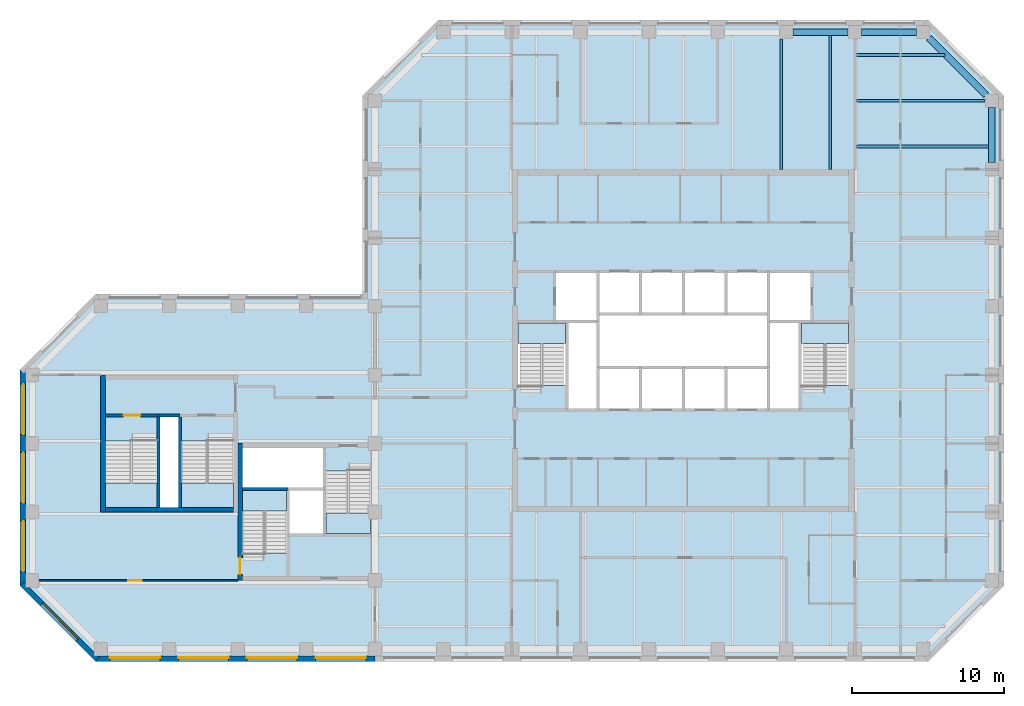
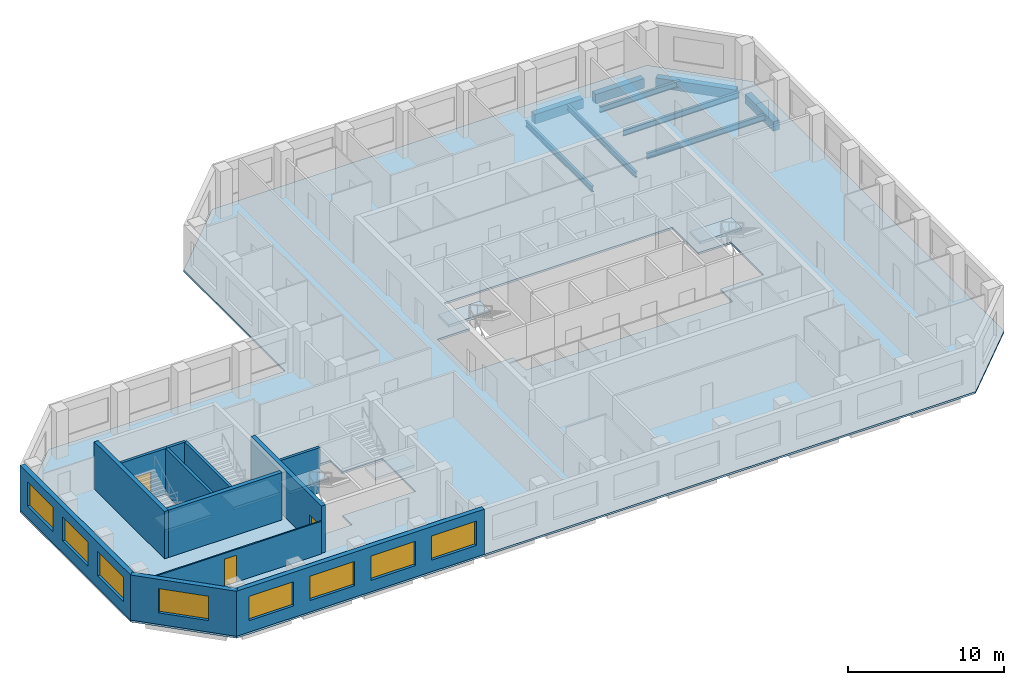
# One storey, part 2 of 10: 12 walls, 9 beams, 8 windows, 7 slabs, 3 doors, 11 openings, 6 elements without a shape of their own.
"""IFC4 building model written with IfcOpenShell, lengths in metres."""

from ifc_helpers import new_model, si_unit, direction, frame, frame_2d, origin, origin_2d, place, context, subcontext, project, spatial, polyline, rectangle, i_section, outline, extrude, material, layer, layer_set, constituent, constituent_set, material_profile, profile_set, type_object, element, fill, aggregate, save


model = new_model("IFC4")

# Units and contexts
model_context = context("Model", 3, precision=1e-05, world=origin(), true_north=direction((0.0, 1.0)))
body_context = subcontext(model_context, "Body", "Model", "MODEL_VIEW")
ifc_project = project(units=[si_unit("LENGTHUNIT", "METRE"), si_unit("AREAUNIT", "SQUARE_METRE"), si_unit("VOLUMEUNIT", "CUBIC_METRE"), si_unit("PLANEANGLEUNIT", "RADIAN"), si_unit("MASSUNIT", "GRAM", prefix="KILO")], contexts=[model_context])

# Site, building, storey
site_placement = place(None, origin())
site = spatial("IfcSite", under=ifc_project, at=site_placement, CompositionType="ELEMENT")
building_placement = place(site_placement, origin())
building = spatial("IfcBuilding", under=site, at=building_placement, Name="Quoin Convention Tower", CompositionType="ELEMENT")
storey_placement = place(building_placement, frame((0.0, 0.0, 256.300048828125)))
storey = spatial("IfcBuildingStorey", under=building, at=storey_placement, Name="L67", CompositionType="ELEMENT", Elevation=256.300048828125)

# Beams
ifc_material_1 = material(Name="Steel Grade 300", Category="steel")
ifc_material_profile_1 = material_profile(ifc_material_1, i_section(OverallWidth=0.18994140625, OverallDepth=0.4541015625, WebThickness=0.008544921875, FlangeThickness=0.0126953125, FilletRadius=0.011474609375, at=origin_2d()), Name="460UB67.1")
ifc_profile_set_1 = profile_set([ifc_material_profile_1], Name="Steel Grade 300")
beam_type_1 = type_object("IfcBeamType", Name="460UB67.1", PredefinedType="BEAM", material=ifc_profile_set_1)
beam_1_placement = place(storey_placement, frame((62.6787109375, 72.0, -0.376953125), z_axis=(0.0, 1.0, 0.0), x_axis=(-1.0, 0.0, 0.0)))
element("IfcBeam", 1, at=beam_1_placement, inside=storey, type_object=beam_type_1, Name="bm-L67-T1N5", PredefinedType="BEAM", context=body_context, shape_type="SweptSolid", body=[
    extrude(i_section(OverallWidth=0.18994140625, OverallDepth=0.4541015625, WebThickness=0.008544921875, FlangeThickness=0.0126953125, FilletRadius=0.011474609375, at=origin_2d()), origin(), (0.0, 0.0, 1.0), 8.550048828125),
])
beam_2_placement = place(storey_placement, frame((65.892822265625, 72.0, -0.376953125), z_axis=(0.0, 1.0, 0.0), x_axis=(-1.0, 0.0, 0.0)))
element("IfcBeam", 2, at=beam_2_placement, inside=storey, type_object=beam_type_1, Name="bm-L67-T1N6", PredefinedType="BEAM", context=body_context, shape_type="SweptSolid", body=[
    extrude(i_section(OverallWidth=0.18994140625, OverallDepth=0.4541015625, WebThickness=0.008544921875, FlangeThickness=0.0126953125, FilletRadius=0.011474609375, at=origin_2d()), origin(), (0.0, 0.0, 1.0), 8.77490234375),
])
beam_3_placement = place(storey_placement, frame((67.5, 79.5, -0.376953125), z_axis=(1.0, 0.0, 0.0), x_axis=(0.0, 1.0, 0.0)))
element("IfcBeam", 3, at=beam_3_placement, inside=storey, type_object=beam_type_1, Name="bm-L67-T1NE0", PredefinedType="BEAM", context=body_context, shape_type="SweptSolid", body=[
    extrude(i_section(OverallWidth=0.18994140625, OverallDepth=0.4541015625, WebThickness=0.008544921875, FlangeThickness=0.0126953125, FilletRadius=0.011474609375, at=origin_2d()), origin(), (0.0, 0.0, 1.0), 5.935791015625),
])
beam_4_placement = place(storey_placement, frame((67.5, 76.5, -0.376953125), z_axis=(1.0, 0.0, 0.0), x_axis=(0.0, 1.0, 0.0)))
element("IfcBeam", 4, at=beam_4_placement, inside=storey, type_object=beam_type_1, Name="bm-L67-T1NE1", PredefinedType="BEAM", context=body_context, shape_type="SweptSolid", body=[
    extrude(i_section(OverallWidth=0.18994140625, OverallDepth=0.4541015625, WebThickness=0.008544921875, FlangeThickness=0.0126953125, FilletRadius=0.011474609375, at=origin_2d()), origin(), (0.0, 0.0, 1.0), 8.550048828125),
])
beam_5_placement = place(storey_placement, frame((67.5, 73.5, -0.376953125), z_axis=(1.0, 0.0, 0.0), x_axis=(0.0, 1.0, 0.0)))
element("IfcBeam", 5, at=beam_5_placement, inside=storey, type_object=beam_type_1, Name="bm-L67-T1NE2", PredefinedType="BEAM", context=body_context, shape_type="SweptSolid", body=[
    extrude(i_section(OverallWidth=0.18994140625, OverallDepth=0.4541015625, WebThickness=0.008544921875, FlangeThickness=0.0126953125, FilletRadius=0.011474609375, at=origin_2d()), origin(), (0.0, 0.0, 1.0), 8.77490234375),
])
ifc_material_2 = material(Name="Concrete C50", Category="concrete")
ifc_material_profile_2 = material_profile(ifc_material_2, rectangle(XDim=0.449951171875, YDim=0.75, at=origin_2d()), Name="RC 450x750")
ifc_profile_set_2 = profile_set([ifc_material_profile_2], Name="Concrete C50")
beam_type_2 = type_object("IfcBeamType", Name="RC 450x750 C50", PredefinedType="SPANDREL", material=ifc_profile_set_2)
beam_6_placement = place(storey_placement, frame((76.5, 72.449951171875, -0.525146484375), z_axis=(0.0, 1.0, 0.0), x_axis=(-1.0, 0.0, 0.0)))
element("IfcBeam", 6, at=beam_6_placement, inside=storey, type_object=beam_type_2, Name="spd-L67-76500_72000-76500_76500", PredefinedType="SPANDREL", context=body_context, shape_type="SweptSolid", body=[
    extrude(rectangle(XDim=0.449951171875, YDim=0.75, at=origin_2d()), origin(), (0.0, 0.0, 1.0), 3.60009765625),
])
beam_7_placement = place(storey_placement, frame((76.135009765625, 76.864990234375, -0.525146484375), z_axis=(-0.707106781187, 0.707106781187, 0.0), x_axis=(-0.707106781187, -0.707106781187, 0.0)))
element("IfcBeam", 7, at=beam_7_placement, inside=storey, type_object=beam_type_2, Name="spd-L67-76500_76500-72000_81000", PredefinedType="SPANDREL", context=body_context, shape_type="SweptSolid", body=[
    extrude(rectangle(XDim=0.449951171875, YDim=0.75, at=origin_2d()), origin(), (0.0, 0.0, 1.0), 5.33154296875),
])
for number, where, z_axis, x_axis, name in (
    (8, (71.550048828125, 81.0, -0.525146484375), (-1.0, 0.0, 0.0), (0.0, -1.0, 0.0), "spd-L67-72000_81000-67500_81000"),
    (9, (67.050048828125, 81.0, -0.525146484375), (-1.0, 0.0, 0.0), (0.0, -1.0, 0.0), "spd-L67-67500_81000-63000_81000"),
):
    element("IfcBeam", number, at=place(storey_placement, frame(where, z_axis=z_axis, x_axis=x_axis)), inside=storey, type_object=beam_type_2, Name=name, PredefinedType="SPANDREL", context=body_context, shape_type="SweptSolid", body=[
        extrude(rectangle(XDim=0.449951171875, YDim=0.75, at=origin_2d()), origin(), (0.0, 0.0, 1.0), 3.60009765625),
    ])

# Slab
ifc_material_3 = material(Name="Concrete C40", Category="concrete")
ifc_layer_1 = layer(ifc_material_3, 0.14990234375)
ifc_layer_set_1 = layer_set([ifc_layer_1], Name="Concrete C40")
slab_type_1 = type_object("IfcSlabType", Name="COMPOSITE SLAB 150 C40", PredefinedType="FLOOR", material=ifc_layer_set_1)
slab_1_placement = place(storey_placement, frame((0.0, 0.0, -0.150146484375)))
element("IfcSlab", 10, at=slab_1_placement, inside=storey, type_object=slab_type_1, Name="slb-L67", PredefinedType="FLOOR", context=body_context, shape_type="SweptSolid", body=[
    extrude(outline(polyline([(17.668701171875, 39.699951171875), (12.699951171875, 44.668701171875), (12.699951171875, 58.831298828125), (17.668701171875, 63.800048828125), (35.199951171875, 63.800048828125), (35.199951171875, 76.831298828125), (40.168701171875, 81.800048828125), (72.331298828125, 81.800048828125), (77.300048828125, 76.831298828125), (77.300048828125, 44.668701171875), (72.331298828125, 39.699951171875), (17.668701171875, 39.699951171875)]), holes=[polyline([(27.300048828125, 51.0), (27.300048828125, 46.800537109375), (30.300048828125, 46.800537109375), (30.300048828125, 48.0), (32.699951171875, 48.0), (35.699951171875, 48.0), (35.699951171875, 52.199462890625), (32.699951171875, 52.199462890625), (32.699951171875, 53.699951171875), (27.300048828125, 53.699951171875), (27.300048828125, 51.0)]), polyline([(18.300048828125, 49.800048828125), (21.800048828125, 49.800048828125), (23.199951171875, 49.800048828125), (26.699951171875, 49.800048828125), (26.699951171875, 54.1494140625), (23.199951171875, 54.1494140625), (23.199951171875, 55.85009765625), (21.800048828125, 55.85009765625), (21.800048828125, 54.1494140625), (18.300048828125, 54.1494140625), (18.300048828125, 49.800048828125)]), polyline([(48.60009765625, 56.199951171875), (50.64990234375, 56.199951171875), (53.449951171875, 56.199951171875), (56.25, 56.199951171875), (59.050048828125, 56.199951171875), (61.85009765625, 56.199951171875), (63.89990234375, 56.199951171875), (63.89990234375, 57.800537109375), (67.10009765625, 57.800537109375), (67.10009765625, 62.0), (64.699951171875, 62.0), (64.699951171875, 65.300048828125), (61.85009765625, 65.300048828125), (59.050048828125, 65.300048828125), (56.25, 65.300048828125), (53.449951171875, 65.300048828125), (50.64990234375, 65.300048828125), (47.800048828125, 65.300048828125), (47.800048828125, 62.0), (45.39990234375, 62.0), (45.39990234375, 57.800537109375), (48.60009765625, 57.800537109375), (48.60009765625, 56.199951171875)])]), origin(), (0.0, 0.0, 1.0), 0.150146484375),
])

# Stair, slab
stair_type_1 = type_object("IfcStairType", Name="Exit stair two-flight 1350", PredefinedType="HALF_TURN_STAIR", material=ifc_material_3)
stair_1_placement = place(storey_placement, origin())
stair_1 = element("IfcStair", 11, at=stair_1_placement, inside=storey, type_object=stair_type_1, Name="SD1 L67", PredefinedType="HALF_TURN_STAIR")
ifc_layer_2 = layer(ifc_material_3, 0.199951171875)
ifc_layer_set_2 = layer_set([ifc_layer_2], Name="Concrete C40")
slab_type_2 = type_object("IfcSlabType", Name="Stair landing 200", PredefinedType="LANDING", material=ifc_layer_set_2)
slab_2_placement = place(storey_placement, frame((0.0, 0.0, 1.792236328125)))
slab_2 = element("IfcSlab", 12, at=slab_2_placement, type_object=slab_type_2, Name="ST1 landing 1", PredefinedType="LANDING", context=body_context, shape_type="SweptSolid", body=[
    extrude(outline(polyline([(45.39990234375, 60.550048828125), (48.5, 60.550048828125), (48.5, 61.89990234375), (45.39990234375, 61.89990234375), (45.39990234375, 60.550048828125)])), origin(), (0.0, 0.0, 1.0), 0.199951171875),
])
aggregate(stair_1, [slab_2])

stair_2_placement = place(storey_placement, origin())
stair_2 = element("IfcStair", 13, at=stair_2_placement, inside=storey, type_object=stair_type_1, Name="SD2 L67", PredefinedType="HALF_TURN_STAIR")
slab_3_placement = place(storey_placement, frame((0.0, 0.0, 1.792236328125)))
slab_3 = element("IfcSlab", 14, at=slab_3_placement, type_object=slab_type_2, Name="ST2 landing 1", PredefinedType="LANDING", context=body_context, shape_type="SweptSolid", body=[
    extrude(outline(polyline([(64.0, 60.550048828125), (67.10009765625, 60.550048828125), (67.10009765625, 61.89990234375), (64.0, 61.89990234375), (64.0, 60.550048828125)])), origin(), (0.0, 0.0, 1.0), 0.199951171875),
])
aggregate(stair_2, [slab_3])

stair_3_placement = place(storey_placement, origin())
stair_3 = element("IfcStair", 15, at=stair_3_placement, inside=storey, type_object=stair_type_1, Name="SD3 L67", PredefinedType="HALF_TURN_STAIR")
slab_4_placement = place(storey_placement, frame((0.0, 0.0, 1.792236328125)))
slab_4 = element("IfcSlab", 16, at=slab_4_placement, type_object=slab_type_2, Name="ST3 landing 1", PredefinedType="LANDING", context=body_context, shape_type="SweptSolid", body=[
    extrude(outline(polyline([(27.300048828125, 49.550048828125), (30.199951171875, 49.550048828125), (30.199951171875, 50.89990234375), (27.300048828125, 50.89990234375), (27.300048828125, 49.550048828125)])), origin(), (0.0, 0.0, 1.0), 0.199951171875),
])
aggregate(stair_3, [slab_4])

stair_4_placement = place(storey_placement, origin())
stair_4 = element("IfcStair", 17, at=stair_4_placement, inside=storey, type_object=stair_type_1, Name="SD4 L67", PredefinedType="HALF_TURN_STAIR")
slab_5_placement = place(storey_placement, frame((0.0, 0.0, 1.792236328125)))
slab_5 = element("IfcSlab", 18, at=slab_5_placement, type_object=slab_type_2, Name="ST4 landing 1", PredefinedType="LANDING", context=body_context, shape_type="SweptSolid", body=[
    extrude(outline(polyline([(35.699951171875, 49.449951171875), (32.800048828125, 49.449951171875), (32.800048828125, 48.10009765625), (35.699951171875, 48.10009765625), (35.699951171875, 49.449951171875)])), origin(), (0.0, 0.0, 1.0), 0.199951171875),
])
aggregate(stair_4, [slab_5])

stair_type_2 = type_object("IfcStairType", Name="Exit stair two-flight 1600", PredefinedType="HALF_TURN_STAIR", material=ifc_material_3)
stair_5_placement = place(storey_placement, origin())
stair_5 = element("IfcStair", 19, at=stair_5_placement, inside=storey, type_object=stair_type_2, Name="SD11 L67", PredefinedType="HALF_TURN_STAIR")
slab_6_placement = place(storey_placement, frame((0.0, 0.0, 1.792236328125)))
slab_6 = element("IfcSlab", 20, at=slab_6_placement, type_object=slab_type_2, Name="ST11 landing 1", PredefinedType="LANDING", context=body_context, shape_type="SweptSolid", body=[
    extrude(outline(polyline([(21.699951171875, 51.39990234375), (18.300048828125, 51.39990234375), (18.300048828125, 49.800048828125), (21.699951171875, 49.800048828125), (21.699951171875, 51.39990234375)])), origin(), (0.0, 0.0, 1.0), 0.199951171875),
])
aggregate(stair_5, [slab_6])

stair_6_placement = place(storey_placement, origin())
stair_6 = element("IfcStair", 21, at=stair_6_placement, inside=storey, type_object=stair_type_2, Name="SD12 L67", PredefinedType="HALF_TURN_STAIR")
slab_7_placement = place(storey_placement, frame((0.0, 0.0, 1.792236328125)))
slab_7 = element("IfcSlab", 22, at=slab_7_placement, type_object=slab_type_2, Name="ST12 landing 1", PredefinedType="LANDING", context=body_context, shape_type="SweptSolid", body=[
    extrude(outline(polyline([(26.699951171875, 51.39990234375), (23.300048828125, 51.39990234375), (23.300048828125, 49.800048828125), (26.699951171875, 49.800048828125), (26.699951171875, 51.39990234375)])), origin(), (0.0, 0.0, 1.0), 0.199951171875),
])
aggregate(stair_6, [slab_7])

# Wall, openings, windows
ifc_material_4 = material(Name="Brick masonry", Category="masonry")
ifc_layer_3 = layer(ifc_material_4, 0.35009765625)
ifc_layer_set_3 = layer_set([ifc_layer_3], Name="Brick masonry")
wall_type_1 = type_object("IfcWallType", Name="Brick facade wall", PredefinedType="STANDARD", material=ifc_layer_set_3)
wall_1_placement = place(storey_placement, frame((12.875, 58.831298828125, 0.0), z_axis=(0.0, 0.0, 1.0), x_axis=(0.0, -1.0, 0.0)))
wall_1 = element("IfcWall", 23, at=wall_1_placement, inside=storey, type_object=wall_type_1, Name="fw-L67-13500_58500", PredefinedType="STANDARD", context=body_context, shape_type="SweptSolid", body=[
    extrude(rectangle(XDim=14.16259765625, YDim=0.35009765625, at=frame_2d((7.081298828125, 0.0))), origin(), (0.0, 0.0, 1.0), 3.52490234375),
])
opening_1_placement = place(wall_1_placement, frame((0.931396484375, 0.0, 0.89990234375)))
opening_1 = element("IfcOpeningElement", 24, at=opening_1_placement, cuts=wall_1, Name="Opening W-02", PredefinedType="OPENING", context=body_context, shape_type="SweptSolid", body=[
    extrude(rectangle(XDim=3.300048828125, YDim=1.89990234375, at=frame_2d((1.64990234375, 0.949951171875))), frame((0.0, 0.18505859375, 0.0), z_axis=(0.0, -1.0, 0.0), x_axis=(1.0, 0.0, 0.0)), (0.0, 0.0, 1.0), 0.3701171875),
])
opening_2_placement = place(wall_1_placement, frame((5.431396484375, 0.0, 0.89990234375)))
opening_2 = element("IfcOpeningElement", 25, at=opening_2_placement, cuts=wall_1, Name="Opening W-02", PredefinedType="OPENING", context=body_context, shape_type="SweptSolid", body=[
    extrude(rectangle(XDim=3.300048828125, YDim=1.89990234375, at=frame_2d((1.64990234375, 0.949951171875))), frame((0.0, 0.18505859375, 0.0), z_axis=(0.0, -1.0, 0.0), x_axis=(1.0, 0.0, 0.0)), (0.0, 0.0, 1.0), 0.3701171875),
])
opening_3_placement = place(wall_1_placement, frame((9.931396484375, 0.0, 0.89990234375)))
opening_3 = element("IfcOpeningElement", 26, at=opening_3_placement, cuts=wall_1, Name="Opening W-02", PredefinedType="OPENING", context=body_context, shape_type="SweptSolid", body=[
    extrude(rectangle(XDim=3.300048828125, YDim=1.89990234375, at=frame_2d((1.64990234375, 0.949951171875))), frame((0.0, 0.18505859375, 0.0), z_axis=(0.0, -1.0, 0.0), x_axis=(1.0, 0.0, 0.0)), (0.0, 0.0, 1.0), 0.3701171875),
])
ifc_material_5 = material(Name="Aluminium", Category="aluminium")
ifc_constituent_1 = constituent(ifc_material_5, Name="Frame")
ifc_material_6 = material(Name="Insulated glass", Category="glass")
ifc_constituent_2 = constituent(ifc_material_6, Name="Glazing")
ifc_constituent_set = constituent_set(constituents=[ifc_constituent_1, ifc_constituent_2], Name="Aluminium")
window_type = type_object("IfcWindowType", Name="Office window", PartitioningType="DOUBLE_PANEL_VERTICAL", PredefinedType="WINDOW", material=ifc_constituent_set)
window_1_placement = place(opening_1_placement, origin())
window_1 = element("IfcWindow", 27, at=window_1_placement, inside=storey, type_object=window_type, Name="win-L67-12875_56250", OverallHeight=1.89990234375, OverallWidth=3.300048828125, PartitioningType="SINGLE_PANEL", PredefinedType="WINDOW", context=body_context, shape_type="SweptSolid", body=[
    extrude(rectangle(XDim=3.300048828125, YDim=1.89990234375, at=frame_2d((1.64990234375, 0.949951171875))), frame((0.0, 0.0849609375, 0.0), z_axis=(0.0, -1.0, 0.0), x_axis=(1.0, 0.0, 0.0)), (0.0, 0.0, 1.0), 0.06005859375),
])
fill(opening_1, window_1)
window_2_placement = place(opening_2_placement, origin())
window_2 = element("IfcWindow", 28, at=window_2_placement, inside=storey, type_object=window_type, Name="win-L67-12875_51750", OverallHeight=1.89990234375, OverallWidth=3.300048828125, PartitioningType="SINGLE_PANEL", PredefinedType="WINDOW", context=body_context, shape_type="SweptSolid", body=[
    extrude(rectangle(XDim=3.300048828125, YDim=1.89990234375, at=frame_2d((1.64990234375, 0.949951171875))), frame((0.0, 0.0849609375, 0.0), z_axis=(0.0, -1.0, 0.0), x_axis=(1.0, 0.0, 0.0)), (0.0, 0.0, 1.0), 0.06005859375),
])
fill(opening_2, window_2)
window_3_placement = place(opening_3_placement, origin())
window_3 = element("IfcWindow", 29, at=window_3_placement, inside=storey, type_object=window_type, Name="win-L67-12875_47250", OverallHeight=1.89990234375, OverallWidth=3.300048828125, PartitioningType="SINGLE_PANEL", PredefinedType="WINDOW", context=body_context, shape_type="SweptSolid", body=[
    extrude(rectangle(XDim=3.300048828125, YDim=1.89990234375, at=frame_2d((1.64990234375, 0.949951171875))), frame((0.0, 0.0849609375, 0.0), z_axis=(0.0, -1.0, 0.0), x_axis=(1.0, 0.0, 0.0)), (0.0, 0.0, 1.0), 0.06005859375),
])
fill(opening_3, window_3)

# Wall, opening, window
wall_2_placement = place(storey_placement, frame((12.82373046875, 44.79248046875, 0.0), z_axis=(0.0, 0.0, 1.0), x_axis=(0.707106781187, -0.707106781187, 0.0)))
wall_2 = element("IfcWall", 30, at=wall_2_placement, inside=storey, type_object=wall_type_1, Name="fw-L67-13500_45000", PredefinedType="STANDARD", context=body_context, shape_type="SweptSolid", body=[
    extrude(rectangle(XDim=7.02685546875, YDim=0.35009765625, at=frame_2d((3.513427734375, 0.0))), origin(), (0.0, 0.0, 1.0), 3.52490234375),
])
opening_4_placement = place(wall_2_placement, frame((1.86328125, 0.0, 0.89990234375)))
opening_4 = element("IfcOpeningElement", 31, at=opening_4_placement, cuts=wall_2, Name="Opening W-02", PredefinedType="OPENING", context=body_context, shape_type="SweptSolid", body=[
    extrude(rectangle(XDim=3.300048828125, YDim=1.89990234375, at=frame_2d((1.64990234375, 0.949951171875))), frame((0.0, 0.18505859375, 0.0), z_axis=(0.0, -1.0, 0.0), x_axis=(1.0, 0.0, 0.0)), (0.0, 0.0, 1.0), 0.3701171875),
])
window_4_placement = place(opening_4_placement, origin())
window_4 = element("IfcWindow", 32, at=window_4_placement, inside=storey, type_object=window_type, Name="win-L67-15308_42308", OverallHeight=1.89990234375, OverallWidth=3.300048828125, PartitioningType="SINGLE_PANEL", PredefinedType="WINDOW", context=body_context, shape_type="SweptSolid", body=[
    extrude(rectangle(XDim=3.300048828125, YDim=1.89990234375, at=frame_2d((1.64990234375, 0.949951171875))), frame((0.0, 0.0849609375, 0.0), z_axis=(0.0, -1.0, 0.0), x_axis=(1.0, 0.0, 0.0)), (0.0, 0.0, 1.0), 0.06005859375),
])
fill(opening_4, window_4)

# Wall, openings, windows
wall_3_placement = place(storey_placement, frame((17.668701171875, 39.875, 0.0), z_axis=(0.0, 0.0, 1.0), x_axis=(1.0, 0.0, 0.0)))
wall_3 = element("IfcWall", 33, at=wall_3_placement, inside=storey, type_object=wall_type_1, Name="fw-L67-18000_40500", PredefinedType="STANDARD", context=body_context, shape_type="SweptSolid", body=[
    extrude(rectangle(XDim=18.331298828125, YDim=0.35009765625, at=frame_2d((9.16552734375, 0.0))), origin(), (0.0, 0.0, 1.0), 3.52490234375),
])
opening_5_placement = place(wall_3_placement, frame((0.931396484375, 0.0, 0.89990234375)))
opening_5 = element("IfcOpeningElement", 34, at=opening_5_placement, cuts=wall_3, Name="Opening W-02", PredefinedType="OPENING", context=body_context, shape_type="SweptSolid", body=[
    extrude(rectangle(XDim=3.300048828125, YDim=1.89990234375, at=frame_2d((1.64990234375, 0.949951171875))), frame((0.0, 0.18505859375, 0.0), z_axis=(0.0, -1.0, 0.0), x_axis=(1.0, 0.0, 0.0)), (0.0, 0.0, 1.0), 0.3701171875),
])
opening_6_placement = place(wall_3_placement, frame((5.431396484375, 0.0, 0.89990234375)))
opening_6 = element("IfcOpeningElement", 35, at=opening_6_placement, cuts=wall_3, Name="Opening W-02", PredefinedType="OPENING", context=body_context, shape_type="SweptSolid", body=[
    extrude(rectangle(XDim=3.300048828125, YDim=1.89990234375, at=frame_2d((1.64990234375, 0.949951171875))), frame((0.0, 0.18505859375, 0.0), z_axis=(0.0, -1.0, 0.0), x_axis=(1.0, 0.0, 0.0)), (0.0, 0.0, 1.0), 0.3701171875),
])
opening_7_placement = place(wall_3_placement, frame((9.931396484375, 0.0, 0.89990234375)))
opening_7 = element("IfcOpeningElement", 36, at=opening_7_placement, cuts=wall_3, Name="Opening W-02", PredefinedType="OPENING", context=body_context, shape_type="SweptSolid", body=[
    extrude(rectangle(XDim=3.300048828125, YDim=1.89990234375, at=frame_2d((1.64990234375, 0.949951171875))), frame((0.0, 0.18505859375, 0.0), z_axis=(0.0, -1.0, 0.0), x_axis=(1.0, 0.0, 0.0)), (0.0, 0.0, 1.0), 0.3701171875),
])
opening_8_placement = place(wall_3_placement, frame((14.431396484375, 0.0, 0.89990234375)))
opening_8 = element("IfcOpeningElement", 37, at=opening_8_placement, cuts=wall_3, Name="Opening W-02", PredefinedType="OPENING", context=body_context, shape_type="SweptSolid", body=[
    extrude(rectangle(XDim=3.300048828125, YDim=1.89990234375, at=frame_2d((1.64990234375, 0.949951171875))), frame((0.0, 0.18505859375, 0.0), z_axis=(0.0, -1.0, 0.0), x_axis=(1.0, 0.0, 0.0)), (0.0, 0.0, 1.0), 0.3701171875),
])
window_5_placement = place(opening_5_placement, origin())
window_5 = element("IfcWindow", 38, at=window_5_placement, inside=storey, type_object=window_type, Name="win-L67-20250_39875", OverallHeight=1.89990234375, OverallWidth=3.300048828125, PartitioningType="SINGLE_PANEL", PredefinedType="WINDOW", context=body_context, shape_type="SweptSolid", body=[
    extrude(rectangle(XDim=3.300048828125, YDim=1.89990234375, at=frame_2d((1.64990234375, 0.949951171875))), frame((0.0, 0.0849609375, 0.0), z_axis=(0.0, -1.0, 0.0), x_axis=(1.0, 0.0, 0.0)), (0.0, 0.0, 1.0), 0.06005859375),
])
fill(opening_5, window_5)
window_6_placement = place(opening_6_placement, origin())
window_6 = element("IfcWindow", 39, at=window_6_placement, inside=storey, type_object=window_type, Name="win-L67-24750_39875", OverallHeight=1.89990234375, OverallWidth=3.300048828125, PartitioningType="SINGLE_PANEL", PredefinedType="WINDOW", context=body_context, shape_type="SweptSolid", body=[
    extrude(rectangle(XDim=3.300048828125, YDim=1.89990234375, at=frame_2d((1.64990234375, 0.949951171875))), frame((0.0, 0.0849609375, 0.0), z_axis=(0.0, -1.0, 0.0), x_axis=(1.0, 0.0, 0.0)), (0.0, 0.0, 1.0), 0.06005859375),
])
fill(opening_6, window_6)
window_7_placement = place(opening_7_placement, origin())
window_7 = element("IfcWindow", 40, at=window_7_placement, inside=storey, type_object=window_type, Name="win-L67-29250_39875", OverallHeight=1.89990234375, OverallWidth=3.300048828125, PartitioningType="SINGLE_PANEL", PredefinedType="WINDOW", context=body_context, shape_type="SweptSolid", body=[
    extrude(rectangle(XDim=3.300048828125, YDim=1.89990234375, at=frame_2d((1.64990234375, 0.949951171875))), frame((0.0, 0.0849609375, 0.0), z_axis=(0.0, -1.0, 0.0), x_axis=(1.0, 0.0, 0.0)), (0.0, 0.0, 1.0), 0.06005859375),
])
fill(opening_7, window_7)
window_8_placement = place(opening_8_placement, origin())
window_8 = element("IfcWindow", 41, at=window_8_placement, inside=storey, type_object=window_type, Name="win-L67-33750_39875", OverallHeight=1.89990234375, OverallWidth=3.300048828125, PartitioningType="SINGLE_PANEL", PredefinedType="WINDOW", context=body_context, shape_type="SweptSolid", body=[
    extrude(rectangle(XDim=3.300048828125, YDim=1.89990234375, at=frame_2d((1.64990234375, 0.949951171875))), frame((0.0, 0.0849609375, 0.0), z_axis=(0.0, -1.0, 0.0), x_axis=(1.0, 0.0, 0.0)), (0.0, 0.0, 1.0), 0.06005859375),
])
fill(opening_8, window_8)

# Walls
ifc_layer_4 = layer(ifc_material_2, 0.199951171875)
ifc_layer_set_4 = layer_set([ifc_layer_4], Name="Concrete C50")
wall_type_2 = type_object("IfcWallType", Name="Core shaft wall", PredefinedType="SOLIDWALL", material=ifc_layer_set_4)
wall_4_placement = place(storey_placement, frame((27.300048828125, 51.0, 0.0), z_axis=(0.0, 0.0, 1.0), x_axis=(1.0, 0.0, 0.0)))
element("IfcWall", 42, at=wall_4_placement, inside=storey, type_object=wall_type_2, Name="cr-P2-L67-h6000_300", PredefinedType="SOLIDWALL", context=body_context, shape_type="SweptSolid", body=[
    extrude(rectangle(XDim=3.0, YDim=0.199951171875, at=frame_2d((1.5, 0.0))), origin(), (0.0, 0.0, 1.0), 3.550048828125),
])
wall_5_placement = place(storey_placement, frame((21.800048828125, 55.85009765625, 0.0), z_axis=(0.0, 0.0, 1.0), x_axis=(1.0, 0.0, 0.0)))
element("IfcWall", 43, at=wall_5_placement, inside=storey, type_object=wall_type_2, Name="cr-P6-L67-h6350_3800", PredefinedType="SOLIDWALL", context=body_context, shape_type="SweptSolid", body=[
    extrude(rectangle(XDim=1.39990234375, YDim=0.199951171875, at=frame_2d((0.699951171875, 0.0))), origin(), (0.0, 0.0, 1.0), 3.550048828125),
])

# Wall, opening, door
wall_6_placement = place(storey_placement, frame((18.300048828125, 55.85009765625, 0.0), z_axis=(0.0, 0.0, 1.0), x_axis=(1.0, 0.0, 0.0)))
wall_6 = element("IfcWall", 44, at=wall_6_placement, inside=storey, type_object=wall_type_2, Name="cr-P6-L67-h6350_300", PredefinedType="SOLIDWALL", context=body_context, shape_type="SweptSolid", body=[
    extrude(rectangle(XDim=3.5, YDim=0.199951171875, at=frame_2d((1.75, 0.0))), origin(), (0.0, 0.0, 1.0), 3.550048828125),
])
opening_9_placement = place(wall_6_placement, frame((1.199951171875, 0.0, 0.0)))
opening_9 = element("IfcOpeningElement", 45, at=opening_9_placement, cuts=wall_6, Name="Opening SD11", PredefinedType="OPENING", context=body_context, shape_type="SweptSolid", body=[
    extrude(rectangle(XDim=1.10009765625, YDim=2.10009765625, at=frame_2d((0.550048828125, 1.050048828125))), frame((0.0, 0.10986328125, 0.0), z_axis=(0.0, -1.0, 0.0), x_axis=(1.0, 0.0, 0.0)), (0.0, 0.0, 1.0), 0.219970703125),
])
ifc_material_7 = material(Name="Steel door leaf", Category="steel")
door_type_1 = type_object("IfcDoorType", Name="Stair door 1100 x 2100", OperationType="SINGLE_SWING_RIGHT", PredefinedType="DOOR", material=ifc_material_7)
door_1_placement = place(opening_9_placement, origin())
door_1 = element("IfcDoor", 46, at=door_1_placement, inside=storey, type_object=door_type_1, Name="cd-P6-L67-SA-R2-SD11", OperationType="SINGLE_SWING_RIGHT", OverallHeight=2.10009765625, OverallWidth=1.10009765625, PredefinedType="DOOR", context=body_context, shape_type="SweptSolid", body=[
    extrude(rectangle(XDim=1.10009765625, YDim=2.10009765625, at=frame_2d((0.550048828125, 1.050048828125))), frame((0.0, 0.02490234375, 0.0), z_axis=(0.0, -1.0, 0.0), x_axis=(1.0, 0.0, 0.0)), (0.0, 0.0, 1.0), 0.050048828125),
])
fill(opening_9, door_1)

# Walls
for number, where, z_axis, x_axis, name in (
    (47, (21.800048828125, 49.800048828125, 0.0), (0.0, 0.0, 1.0), (0.0, 1.0, 0.0), "cr-P6-L67-v3800_300"),
    (48, (23.199951171875, 49.800048828125, 0.0), (0.0, 0.0, 1.0), (0.0, 1.0, 0.0), "cr-P6-L67-v5200_300"),
):
    element("IfcWall", number, at=place(storey_placement, frame(where, z_axis=z_axis, x_axis=x_axis)), inside=storey, type_object=wall_type_2, Name=name, PredefinedType="SOLIDWALL", context=body_context, shape_type="SweptSolid", body=[
        extrude(rectangle(XDim=6.050048828125, YDim=0.199951171875, at=frame_2d((3.02490234375, 0.0))), origin(), (0.0, 0.0, 1.0), 3.550048828125),
    ])

# Wall, opening, door
ifc_layer_5 = layer(ifc_material_2, 0.300048828125)
ifc_layer_set_5 = layer_set([ifc_layer_5], Name="Concrete C50")
wall_type_3 = type_object("IfcWallType", Name="RC CORE WALL 300 C50", PredefinedType="SHEAR", material=ifc_layer_set_5)
wall_7_placement = place(storey_placement, frame((27.14990234375, 45.0, 0.0), z_axis=(0.0, 0.0, 1.0), x_axis=(0.0, 1.0, 0.0)))
wall_7 = element("IfcWall", 49, at=wall_7_placement, inside=storey, type_object=wall_type_3, Name="cwl-P2-L67-W", PredefinedType="SHEAR", context=body_context, shape_type="SweptSolid", body=[
    extrude(rectangle(XDim=9.0, YDim=0.300048828125, at=frame_2d((4.5, 0.0))), origin(), (0.0, 0.0, 1.0), 3.699951171875),
])
opening_10_placement = place(wall_7_placement, frame((0.39990234375, 0.0, 0.0)))
opening_10 = element("IfcOpeningElement", 50, at=opening_10_placement, cuts=wall_7, Name="Opening SD3", PredefinedType="OPENING", context=body_context, shape_type="SweptSolid", body=[
    extrude(rectangle(XDim=1.10009765625, YDim=2.10009765625, at=frame_2d((0.550048828125, 1.050048828125))), frame((0.0, 0.159912109375, 0.0), z_axis=(0.0, -1.0, 0.0), x_axis=(1.0, 0.0, 0.0)), (0.0, 0.0, 1.0), 0.320068359375),
])
door_2_placement = place(opening_10_placement, frame((1.10009765625, 0.0, 0.0), z_axis=(0.0, 0.0, 1.0), x_axis=(-1.0, 0.0, 0.0)))
door_2 = element("IfcDoor", 51, at=door_2_placement, inside=storey, type_object=door_type_1, Name="cd-P2-L67-SA-W", OperationType="SINGLE_SWING_RIGHT", OverallHeight=2.10009765625, OverallWidth=1.10009765625, PredefinedType="DOOR", context=body_context, shape_type="SweptSolid", body=[
    extrude(rectangle(XDim=1.10009765625, YDim=2.10009765625, at=frame_2d((0.550048828125, 1.050048828125))), frame((0.0, 0.02490234375, 0.0), z_axis=(0.0, -1.0, 0.0), x_axis=(1.0, 0.0, 0.0)), (0.0, 0.0, 1.0), 0.050048828125),
])
fill(opening_10, door_2)

# Walls
wall_8_placement = place(storey_placement, frame((18.300048828125, 49.64990234375, 0.0), z_axis=(0.0, 0.0, 1.0), x_axis=(1.0, 0.0, 0.0)))
element("IfcWall", 52, at=wall_8_placement, inside=storey, type_object=wall_type_3, Name="cwl-P6-L67-S", PredefinedType="SHEAR", context=body_context, shape_type="SweptSolid", body=[
    extrude(rectangle(XDim=8.39990234375, YDim=0.300048828125, at=frame_2d((4.199951171875, 0.0))), origin(), (0.0, 0.0, 1.0), 3.699951171875),
])
wall_9_placement = place(storey_placement, frame((18.14990234375, 49.5, 0.0), z_axis=(0.0, 0.0, 1.0), x_axis=(0.0, 1.0, 0.0)))
element("IfcWall", 53, at=wall_9_placement, inside=storey, type_object=wall_type_3, Name="cwl-P6-L67-W", PredefinedType="SHEAR", context=body_context, shape_type="SweptSolid", body=[
    extrude(rectangle(XDim=9.0, YDim=0.300048828125, at=frame_2d((4.5, 0.0))), origin(), (0.0, 0.0, 1.0), 3.699951171875),
])

# Wall, opening, door
ifc_material_8 = material(Name="Plasterboard")
ifc_layer_6 = layer(ifc_material_8, 0.012451171875, Name="Finish")
ifc_material_9 = material(Name="Steel stud framing", Category="steel")
ifc_layer_7 = layer(ifc_material_9, 0.074951171875, Name="Structure")
ifc_layer_8 = layer(ifc_material_8, 0.012451171875, Name="Finish")
ifc_layer_set_6 = layer_set([ifc_layer_6, ifc_layer_7, ifc_layer_8], Name="Steel stud framing")
wall_type_4 = type_object("IfcWallType", Name="Stud partition 100 under beam 1000", PredefinedType="PARTITIONING", material=ifc_layer_set_6)
wall_10_placement = place(storey_placement, frame((13.5, 45.0, 0.0), z_axis=(0.0, 0.0, 1.0), x_axis=(1.0, 0.0, 0.0)))
wall_10 = element("IfcWall", 54, at=wall_10_placement, inside=storey, type_object=wall_type_4, Name="pw-L67-w02", PredefinedType="PARTITIONING", context=body_context, shape_type="SweptSolid", body=[
    extrude(rectangle(XDim=13.5, YDim=0.10009765625, at=frame_2d((6.75, 0.0))), origin(), (0.0, 0.0, 1.0), 2.550048828125),
])
opening_11_placement = place(wall_10_placement, frame((6.300048828125, 0.0, 0.0)))
opening_11 = element("IfcOpeningElement", 55, at=opening_11_placement, cuts=wall_10, Name="Opening DOHX-25", PredefinedType="OPENING", context=body_context, shape_type="SweptSolid", body=[
    extrude(rectangle(XDim=0.89990234375, YDim=2.10009765625, at=frame_2d((0.449951171875, 1.050048828125))), frame((0.0, 0.06005859375, 0.0), z_axis=(0.0, -1.0, 0.0), x_axis=(1.0, 0.0, 0.0)), (0.0, 0.0, 1.0), 0.1201171875),
])
door_type_2 = type_object("IfcDoorType", Name="Office door 900 x 2100", OperationType="SINGLE_SWING_RIGHT", PredefinedType="DOOR", material=ifc_material_7)
door_3_placement = place(opening_11_placement, origin())
door_3 = element("IfcDoor", 56, at=door_3_placement, inside=storey, type_object=door_type_2, Name="dr-L67-w03", OperationType="SINGLE_SWING_RIGHT", OverallHeight=2.10009765625, OverallWidth=0.89990234375, PredefinedType="DOOR", context=body_context, shape_type="SweptSolid", body=[
    extrude(rectangle(XDim=0.89990234375, YDim=2.10009765625, at=frame_2d((0.449951171875, 1.050048828125))), frame((0.0, 0.02490234375, 0.0), z_axis=(0.0, -1.0, 0.0), x_axis=(1.0, 0.0, 0.0)), (0.0, 0.0, 1.0), 0.050048828125),
])
fill(opening_11, door_3)

save(model, "model.ifc")
